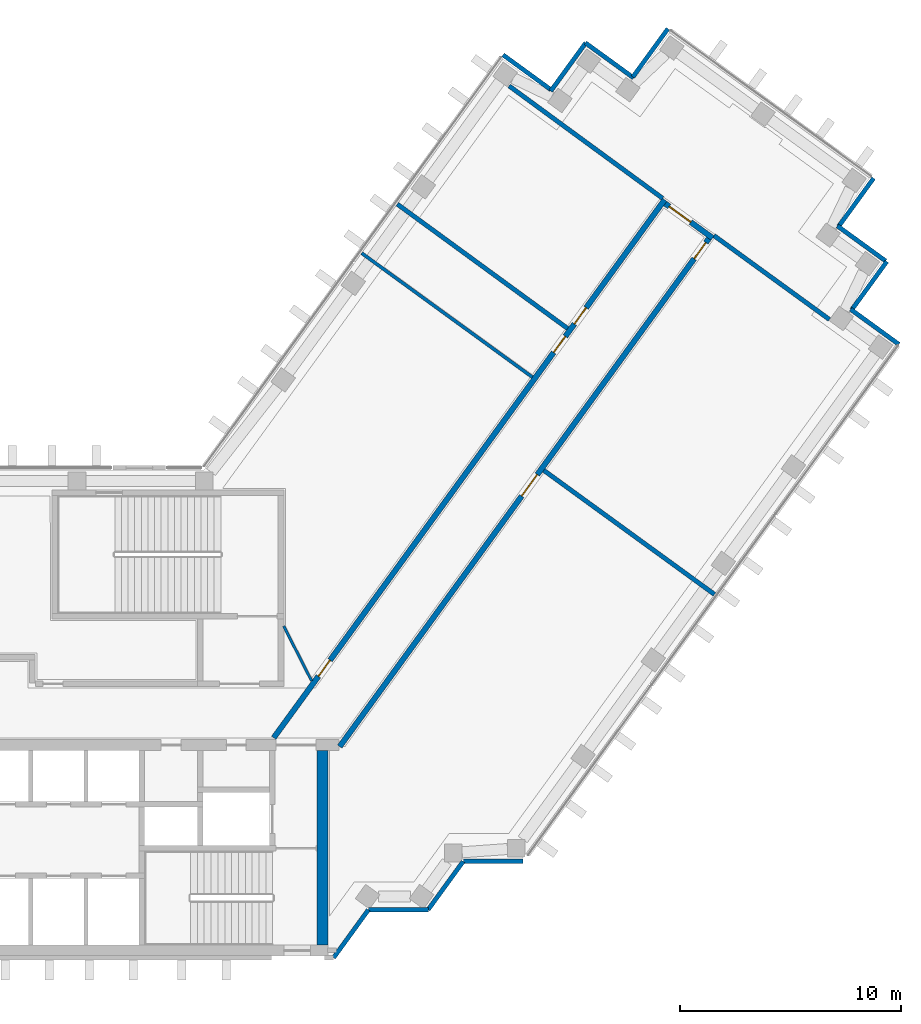
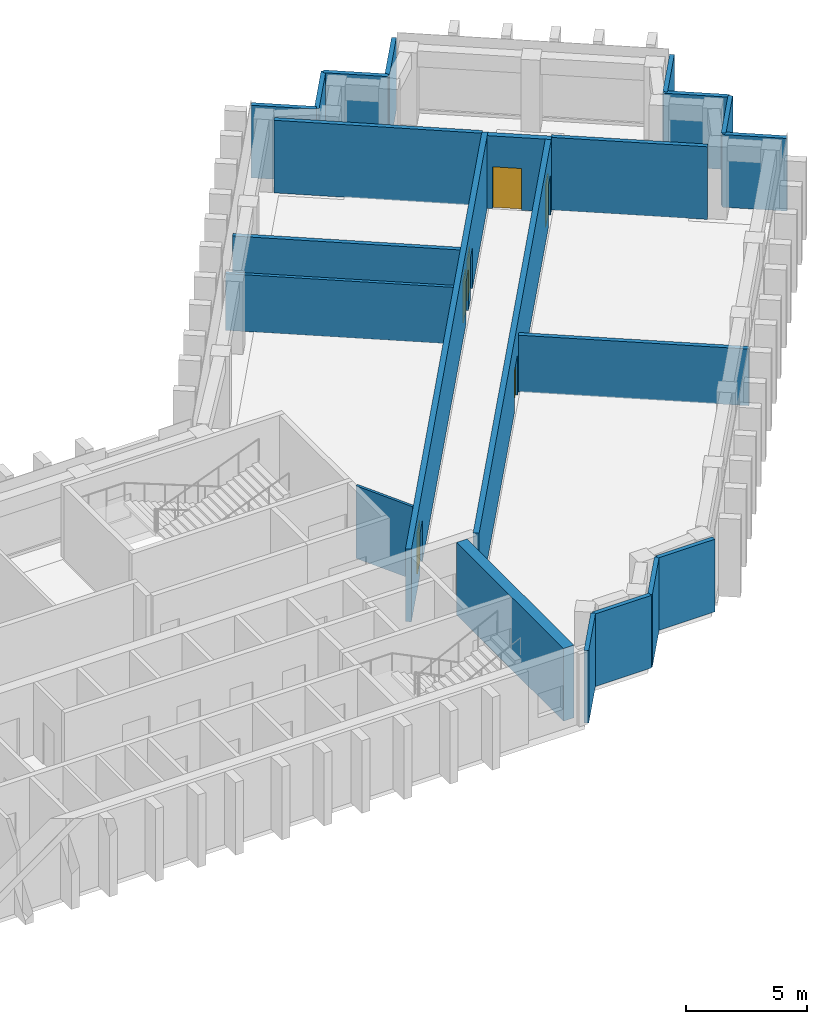
# One storey, part 7 of 10: 22 walls, 6 doors, 6 openings.
"""IFC4 building model written with IfcOpenShell, lengths in metres."""

from ifc_helpers import new_model, si_unit, direction, frame, frame_2d, origin, place, context, subcontext, project, spatial, rectangle, extrude, material, layer, layer_set, type_object, element, fill, save


model = new_model("IFC4")

# Units and contexts
model_context = context("Model", 3, precision=1e-05, world=origin(), true_north=direction((0.0, 1.0)))
body_context = subcontext(model_context, "Body", "Model", "MODEL_VIEW")
ifc_project = project(units=[si_unit("LENGTHUNIT", "METRE"), si_unit("AREAUNIT", "SQUARE_METRE"), si_unit("VOLUMEUNIT", "CUBIC_METRE"), si_unit("PLANEANGLEUNIT", "RADIAN"), si_unit("MASSUNIT", "GRAM", prefix="KILO")], contexts=[model_context])

# Site, building, storey
site_placement = place(None, origin())
site = spatial("IfcSite", under=ifc_project, at=site_placement, CompositionType="ELEMENT")
building_placement = place(site_placement, origin())
building = spatial("IfcBuilding", under=site, at=building_placement, Name="Quipu Civic Tower", CompositionType="ELEMENT")
storey_placement = place(building_placement, frame((0.0, 0.0, 176.0)))
storey = spatial("IfcBuildingStorey", under=building, at=storey_placement, Name="L41", CompositionType="ELEMENT", Elevation=176.0)

# Walls
ifc_material_1 = material(Name="Double gypsum plasterboard with mineral wool")
ifc_layer_1 = layer(ifc_material_1, 0.14990234375)
ifc_layer_set_1 = layer_set([ifc_layer_1], Name="Double gypsum plasterboard with mineral wool")
wall_type_1 = type_object("IfcWallType", Name="Acoustic partition 150 plasterboard", PredefinedType="PARTITIONING", material=ifc_layer_set_1)
wall_1_placement = place(storey_placement, frame((29.251220703125, 15.19970703125, 0.0), z_axis=(0.0, 0.0, 1.0), x_axis=(-0.808994684961, 0.587815957341, 0.0)))
element("IfcWall", 1, at=wall_1_placement, inside=storey, type_object=wall_type_1, Name="Partition P09", PredefinedType="PARTITIONING", context=body_context, shape_type="SweptSolid", body=[
    extrude(rectangle(XDim=9.55029296875, YDim=0.14990234375, at=frame_2d((4.775146484375, 0.0))), origin(), (0.0, 0.0, 1.0), 2.85009765625),
])
ifc_material_2 = material(Name="Fired clay blockwork", Category="masonry")
ifc_layer_2 = layer(ifc_material_2, 0.199951171875)
ifc_layer_set_2 = layer_set([ifc_layer_2], Name="Fired clay blockwork")
wall_type_2 = type_object("IfcWallType", Name="Blockwork wall 200", PredefinedType="SOLIDWALL", material=ifc_layer_set_2)
wall_2_placement = place(storey_placement, frame((37.495849609375, 5.36669921875, 0.0), z_axis=(0.0, 0.0, 1.0), x_axis=(-0.809048817734, 0.587741448702, 0.0)))
element("IfcWall", 2, at=wall_2_placement, inside=storey, type_object=wall_type_2, Name="Partition P06", PredefinedType="SOLIDWALL", context=body_context, shape_type="SweptSolid", body=[
    extrude(rectangle(XDim=9.55029296875, YDim=0.199951171875, at=frame_2d((4.775146484375, 0.0))), origin(), (0.0, 0.0, 1.0), 2.85009765625),
])
wall_3_placement = place(storey_placement, frame((37.4677734375, 21.609619140625, 0.0), z_axis=(0.0, 0.0, 1.0), x_axis=(0.80901688725, -0.587785399737, 0.0)))
element("IfcWall", 3, at=wall_3_placement, inside=storey, type_object=wall_type_2, Name="Partition P07", PredefinedType="SOLIDWALL", context=body_context, shape_type="SweptSolid", body=[
    extrude(rectangle(XDim=6.464599609375, YDim=0.199951171875, at=frame_2d((3.232421875, 0.0))), origin(), (0.0, 0.0, 1.0), 3.64990234375),
])
wall_4_placement = place(storey_placement, frame((28.197998046875, 28.38134765625, 0.0), z_axis=(0.0, 0.0, 1.0), x_axis=(0.806977317905, -0.590582431492, 0.0)))
element("IfcWall", 4, at=wall_4_placement, inside=storey, type_object=wall_type_2, Name="Partition P08", PredefinedType="SOLIDWALL", context=body_context, shape_type="SweptSolid", body=[
    extrude(rectangle(XDim=8.61962890625, YDim=0.199951171875, at=frame_2d((4.309814453125, 0.0))), origin(), (0.0, 0.0, 1.0), 3.64990234375),
])
wall_5_placement = place(storey_placement, frame((23.136962890625, 23.031982421875, 0.0), z_axis=(0.0, 0.0, 1.0), x_axis=(0.807661302092, -0.589646691759, 0.0)))
element("IfcWall", 5, at=wall_5_placement, inside=storey, type_object=wall_type_2, Name="Partition P11", PredefinedType="SOLIDWALL", context=body_context, shape_type="SweptSolid", body=[
    extrude(rectangle(XDim=9.550048828125, YDim=0.199951171875, at=frame_2d((4.77490234375, 0.0))), origin(), (0.0, 0.0, 1.0), 2.85009765625),
])
ifc_material_3 = material(Name="Concrete C70/85", Category="concrete")
ifc_layer_3 = layer(ifc_material_3, 0.5)
ifc_layer_set_3 = layer_set([ifc_layer_3], Name="Concrete C70/85")
wall_type_3 = type_object("IfcWallType", Name="Core wall 500", PredefinedType="SHEAR", material=ifc_layer_set_3)
wall_6_placement = place(storey_placement, frame((19.75, -10.5, 0.0), z_axis=(0.0, 0.0, 1.0), x_axis=(0.0, 1.0, 0.0)))
element("IfcWall", 6, at=wall_6_placement, inside=storey, type_object=wall_type_3, Name="Core wall", PredefinedType="SHEAR", context=body_context, shape_type="SweptSolid", body=[
    extrude(rectangle(XDim=8.800048828125, YDim=0.5, at=frame_2d((4.39990234375, 0.0))), origin(), (0.0, 0.0, 1.0), 3.64990234375),
])

# Wall, openings, doors
ifc_material_4 = material(Name="Concrete C50/60", Category="concrete")
ifc_layer_4 = layer(ifc_material_4, 0.25)
ifc_layer_set_4 = layer_set([ifc_layer_4], Name="Concrete C50/60")
wall_type_4 = type_object("IfcWallType", Name="Corridor wall 250 concrete", PredefinedType="SOLIDWALL", material=ifc_layer_set_4)
wall_7_placement = place(storey_placement, frame((17.544921875, -1.124755859375, 0.0), z_axis=(0.0, 0.0, 1.0), x_axis=(0.587786330937, 0.809016210693, 0.0)))
wall_7 = element("IfcWall", 7, at=wall_7_placement, inside=storey, type_object=wall_type_4, Name="Corridor wall C01", PredefinedType="SOLIDWALL", context=body_context, shape_type="SweptSolid", body=[
    extrude(rectangle(XDim=30.10302734375, YDim=0.25, at=frame_2d((15.051513671875, 0.0))), origin(), (0.0, 0.0, 1.0), 3.64990234375),
])
opening_1_placement = place(wall_7_placement, frame((3.44140625, 0.0, 0.0)))
opening_1 = element("IfcOpeningElement", 8, at=opening_1_placement, cuts=wall_7, Name="Opening D001", PredefinedType="OPENING", context=body_context, shape_type="SweptSolid", body=[
    extrude(rectangle(XDim=0.89990234375, YDim=2.10009765625, at=frame_2d((0.449951171875, 1.050048828125))), frame((0.0, 0.135009765625, 0.0), z_axis=(0.0, -1.0, 0.0), x_axis=(1.0, 0.0, 0.0)), (0.0, 0.0, 1.0), 0.27001953125),
])
opening_2_placement = place(wall_7_placement, frame((23.15771484375, 0.0, 0.0)))
opening_2 = element("IfcOpeningElement", 9, at=opening_2_placement, cuts=wall_7, Name="Opening D003", PredefinedType="OPENING", context=body_context, shape_type="SweptSolid", body=[
    extrude(rectangle(XDim=0.89990234375, YDim=2.10009765625, at=frame_2d((0.449951171875, 1.050048828125))), frame((0.0, 0.135009765625, 0.0), z_axis=(0.0, -1.0, 0.0), x_axis=(1.0, 0.0, 0.0)), (0.0, 0.0, 1.0), 0.27001953125),
])
opening_3_placement = place(wall_7_placement, frame((21.5576171875, 0.0, 0.0)))
opening_3 = element("IfcOpeningElement", 10, at=opening_3_placement, cuts=wall_7, Name="Opening D002", PredefinedType="OPENING", context=body_context, shape_type="SweptSolid", body=[
    extrude(rectangle(XDim=0.89990234375, YDim=2.10009765625, at=frame_2d((0.449951171875, 1.050048828125))), frame((0.0, 0.135009765625, 0.0), z_axis=(0.0, -1.0, 0.0), x_axis=(1.0, 0.0, 0.0)), (0.0, 0.0, 1.0), 0.27001953125),
])
ifc_material_5 = material(Name="Fire rated timber door set with metal frame", Category="wood")
door_type_1 = type_object("IfcDoorType", Name="Single door 900 x 2100 FD60", OperationType="NOTDEFINED", PredefinedType="DOOR", material=ifc_material_5)
door_1_placement = place(opening_1_placement, origin())
door_1 = element("IfcDoor", 11, at=door_1_placement, inside=storey, type_object=door_type_1, Name="Door D001", OperationType="SINGLE_SWING_LEFT", OverallHeight=2.10009765625, OverallWidth=0.89990234375, PredefinedType="DOOR", context=body_context, shape_type="SweptSolid", body=[
    extrude(rectangle(XDim=0.89990234375, YDim=2.10009765625, at=frame_2d((0.449951171875, 1.050048828125))), frame((0.0, 0.02490234375, 0.0), z_axis=(0.0, -1.0, 0.0), x_axis=(1.0, 0.0, 0.0)), (0.0, 0.0, 1.0), 0.050048828125),
])
fill(opening_1, door_1)
door_2_placement = place(opening_2_placement, origin())
door_2 = element("IfcDoor", 12, at=door_2_placement, inside=storey, type_object=door_type_1, Name="Door D003", OperationType="SINGLE_SWING_LEFT", OverallHeight=2.10009765625, OverallWidth=0.89990234375, PredefinedType="DOOR", context=body_context, shape_type="SweptSolid", body=[
    extrude(rectangle(XDim=0.89990234375, YDim=2.10009765625, at=frame_2d((0.449951171875, 1.050048828125))), frame((0.0, 0.02490234375, 0.0), z_axis=(0.0, -1.0, 0.0), x_axis=(1.0, 0.0, 0.0)), (0.0, 0.0, 1.0), 0.050048828125),
])
fill(opening_2, door_2)
door_3_placement = place(opening_3_placement, origin())
door_3 = element("IfcDoor", 13, at=door_3_placement, inside=storey, type_object=door_type_1, Name="Door D002", OperationType="SINGLE_SWING_RIGHT", OverallHeight=2.10009765625, OverallWidth=0.89990234375, PredefinedType="DOOR", context=body_context, shape_type="SweptSolid", body=[
    extrude(rectangle(XDim=0.89990234375, YDim=2.10009765625, at=frame_2d((0.449951171875, 1.050048828125))), frame((0.0, 0.02490234375, 0.0), z_axis=(0.0, -1.0, 0.0), x_axis=(1.0, 0.0, 0.0)), (0.0, 0.0, 1.0), 0.050048828125),
])
fill(opening_3, door_3)

# Wall, opening, door
wall_8_placement = place(storey_placement, frame((35.2666015625, 23.054443359375, 0.0), z_axis=(0.0, 0.0, 1.0), x_axis=(0.809038743598, -0.587755315891, 0.0)))
wall_8 = element("IfcWall", 14, at=wall_8_placement, inside=storey, type_object=wall_type_4, Name="Corridor wall C02", PredefinedType="SOLIDWALL", context=body_context, shape_type="SweptSolid", body=[
    extrude(rectangle(XDim=2.650146484375, YDim=0.25, at=frame_2d((1.3251953125, 0.0))), origin(), (0.0, 0.0, 1.0), 3.64990234375),
])
opening_4_placement = place(wall_8_placement, frame((0.224365234375, 0.0, 0.0)))
opening_4 = element("IfcOpeningElement", 15, at=opening_4_placement, cuts=wall_8, Name="Opening D006", PredefinedType="OPENING", context=body_context, shape_type="SweptSolid", body=[
    extrude(rectangle(XDim=1.199951171875, YDim=2.10009765625, at=frame_2d((0.60009765625, 1.050048828125))), frame((0.0, 0.135009765625, 0.0), z_axis=(0.0, -1.0, 0.0), x_axis=(1.0, 0.0, 0.0)), (0.0, 0.0, 1.0), 0.27001953125),
])
ifc_material_6 = material(Name="Fire rated timber door set with metal frame", Category="wood")
door_type_2 = type_object("IfcDoorType", Name="Single door 1200 x 2100 FD60", OperationType="NOTDEFINED", PredefinedType="DOOR", material=ifc_material_6)
door_4_placement = place(opening_4_placement, origin())
door_4 = element("IfcDoor", 16, at=door_4_placement, inside=storey, type_object=door_type_2, Name="Door D006", OperationType="SINGLE_SWING_LEFT", OverallHeight=2.10009765625, OverallWidth=1.199951171875, PredefinedType="DOOR", context=body_context, shape_type="SweptSolid", body=[
    extrude(rectangle(XDim=1.199951171875, YDim=2.10009765625, at=frame_2d((0.60009765625, 1.050048828125))), frame((0.0, 0.02490234375, 0.0), z_axis=(0.0, -1.0, 0.0), x_axis=(1.0, 0.0, 0.0)), (0.0, 0.0, 1.0), 0.050048828125),
])
fill(opening_4, door_4)

# Wall, openings, doors
wall_9_placement = place(storey_placement, frame((37.236083984375, 21.46923828125, 0.0), z_axis=(0.0, 0.0, 1.0), x_axis=(-0.58778344073, -0.809018310549, 0.0)))
wall_9 = element("IfcWall", 17, at=wall_9_placement, inside=storey, type_object=wall_type_4, Name="Corridor wall C03", PredefinedType="SOLIDWALL", context=body_context, shape_type="SweptSolid", body=[
    extrude(rectangle(XDim=28.42041015625, YDim=0.25, at=frame_2d((14.210205078125, 0.0))), origin(), (0.0, 0.0, 1.0), 3.64990234375),
])
opening_5_placement = place(wall_9_placement, frame((13.205078125, 0.0, 0.0)))
opening_5 = element("IfcOpeningElement", 18, at=opening_5_placement, cuts=wall_9, Name="Opening D004", PredefinedType="OPENING", context=body_context, shape_type="SweptSolid", body=[
    extrude(rectangle(XDim=1.199951171875, YDim=2.10009765625, at=frame_2d((0.60009765625, 1.050048828125))), frame((0.0, 0.135009765625, 0.0), z_axis=(0.0, -1.0, 0.0), x_axis=(1.0, 0.0, 0.0)), (0.0, 0.0, 1.0), 0.27001953125),
])
opening_6_placement = place(wall_9_placement, frame((0.224365234375, 0.0, 0.0)))
opening_6 = element("IfcOpeningElement", 19, at=opening_6_placement, cuts=wall_9, Name="Opening D005", PredefinedType="OPENING", context=body_context, shape_type="SweptSolid", body=[
    extrude(rectangle(XDim=0.89990234375, YDim=2.10009765625, at=frame_2d((0.449951171875, 1.050048828125))), frame((0.0, 0.135009765625, 0.0), z_axis=(0.0, -1.0, 0.0), x_axis=(1.0, 0.0, 0.0)), (0.0, 0.0, 1.0), 0.27001953125),
])
door_5_placement = place(opening_5_placement, origin())
door_5 = element("IfcDoor", 20, at=door_5_placement, inside=storey, type_object=door_type_2, Name="Door D004", OperationType="SINGLE_SWING_LEFT", OverallHeight=2.10009765625, OverallWidth=1.199951171875, PredefinedType="DOOR", context=body_context, shape_type="SweptSolid", body=[
    extrude(rectangle(XDim=1.199951171875, YDim=2.10009765625, at=frame_2d((0.60009765625, 1.050048828125))), frame((0.0, 0.02490234375, 0.0), z_axis=(0.0, -1.0, 0.0), x_axis=(1.0, 0.0, 0.0)), (0.0, 0.0, 1.0), 0.050048828125),
])
fill(opening_5, door_5)
door_6_placement = place(opening_6_placement, origin())
door_6 = element("IfcDoor", 21, at=door_6_placement, inside=storey, type_object=door_type_1, Name="Door D005", OperationType="SINGLE_SWING_LEFT", OverallHeight=2.10009765625, OverallWidth=0.89990234375, PredefinedType="DOOR", context=body_context, shape_type="SweptSolid", body=[
    extrude(rectangle(XDim=0.89990234375, YDim=2.10009765625, at=frame_2d((0.449951171875, 1.050048828125))), frame((0.0, 0.02490234375, 0.0), z_axis=(0.0, -1.0, 0.0), x_axis=(1.0, 0.0, 0.0)), (0.0, 0.0, 1.0), 0.050048828125),
])
fill(opening_6, door_6)

# Walls
ifc_material_7 = material(Name="Gypsum plasterboard on light gauge framing")
ifc_layer_5 = layer(ifc_material_7, 0.1201171875)
ifc_layer_set_5 = layer_set([ifc_layer_5], Name="Gypsum plasterboard on light gauge framing")
wall_type_5 = type_object("IfcWallType", Name="Partition 120 plasterboard", PredefinedType="PARTITIONING", material=ifc_layer_set_5)
wall_10_placement = place(storey_placement, frame((18.0, 3.925048828125, 0.0), z_axis=(0.0, 0.0, 1.0), x_axis=(0.453950796792, -0.891026752736, 0.0)))
element("IfcWall", 22, at=wall_10_placement, inside=storey, type_object=wall_type_5, Name="Partition P12", PredefinedType="PARTITIONING", context=body_context, shape_type="SweptSolid", body=[
    extrude(rectangle(XDim=2.77783203125, YDim=0.1201171875, at=frame_2d((1.388916015625, 0.0))), origin(), (0.0, 0.0, 1.0), 3.64990234375),
])
ifc_material_8 = material(Name="Precast concrete C40/50", Category="concrete")
wall_type_6 = type_object("IfcWallType", Name="Precast cladding wall", PredefinedType="SOLIDWALL", material=ifc_material_8)
wall_11_placement = place(storey_placement, frame((20.253173828125, -11.083251953125, 0.0), z_axis=(0.0, 0.0, 1.0), x_axis=(0.587766567315, 0.809030569476, 0.0)))
element("IfcWall", 23, at=wall_11_placement, inside=storey, type_object=wall_type_6, Name="Precast cladding wall L41 P17", PredefinedType="SOLIDWALL", context=body_context, shape_type="SweptSolid", body=[
    extrude(rectangle(XDim=2.687744140625, YDim=0.199951171875, at=frame_2d((1.34375, 0.0))), origin(), (0.0, 0.0, 1.0), 3.64990234375),
])
wall_12_placement = place(storey_placement, frame((21.8427734375, -8.90380859375, 0.0), z_axis=(0.0, 0.0, 1.0), x_axis=(1.0, 0.0, 0.0)))
element("IfcWall", 24, at=wall_12_placement, inside=storey, type_object=wall_type_6, Name="Precast cladding wall L41 P18", PredefinedType="SOLIDWALL", context=body_context, shape_type="SweptSolid", body=[
    extrude(rectangle(XDim=2.699951171875, YDim=0.199951171875, at=frame_2d((1.35009765625, 0.0))), origin(), (0.0, 0.0, 1.0), 3.64990234375),
])
wall_13_placement = place(storey_placement, frame((24.533203125, -8.90869140625, 0.0), z_axis=(0.0, 0.0, 1.0), x_axis=(0.587720002413, 0.809064397168, 0.0)))
element("IfcWall", 25, at=wall_13_placement, inside=storey, type_object=wall_type_6, Name="Precast cladding wall L41 P19", PredefinedType="SOLIDWALL", context=body_context, shape_type="SweptSolid", body=[
    extrude(rectangle(XDim=2.7001953125, YDim=0.199951171875, at=frame_2d((1.35009765625, 0.0))), origin(), (0.0, 0.0, 1.0), 3.64990234375),
])
for number, where, z_axis, x_axis, name in (
    (26, (26.1298828125, -6.71923828125, 0.0), (0.0, 0.0, 1.0), (1.0, 0.0, 0.0), "Precast cladding wall L41 P20"),
    (27, (45.84228515625, 16.6845703125, 0.0), (0.0, 0.0, 1.0), (-0.808958916286, 0.58786518162, 0.0), "Precast cladding wall L41 P22"),
    (28, (43.70947265625, 18.249267578125, 0.0), (0.0, 0.0, 1.0), (0.587762999008, 0.809033161865, 0.0), "Precast cladding wall L41 P23"),
    (29, (45.2451171875, 20.4560546875, 0.0), (0.0, 0.0, 1.0), (-0.809033161865, 0.587762999008, 0.0), "Precast cladding wall L41 P24"),
    (30, (43.112548828125, 22.020263671875, 0.0), (0.0, 0.0, 1.0), (0.587762999008, 0.809033161865, 0.0), "Precast cladding wall L41 P25"),
    (31, (35.3876953125, 30.97021484375, 0.0), (0.0, 0.0, 1.0), (-0.587762999008, -0.809033161865, 0.0), "Precast cladding wall L41 P27"),
    (32, (33.837890625, 28.743896484375, 0.0), (0.0, 0.0, 1.0), (-0.809033161865, 0.587762999008, 0.0), "Precast cladding wall L41 P28"),
    (33, (31.67041015625, 30.33349609375, 0.0), (0.0, 0.0, 1.0), (-0.587762999008, -0.809033161865, 0.0), "Precast cladding wall L41 P29"),
    (34, (30.105712890625, 28.2001953125, 0.0), (0.0, 0.0, 1.0), (-0.809033161865, 0.587762999008, 0.0), "Precast cladding wall L41 P30"),
):
    element("IfcWall", number, at=place(storey_placement, frame(where, z_axis=z_axis, x_axis=x_axis)), inside=storey, type_object=wall_type_6, Name=name, PredefinedType="SOLIDWALL", context=body_context, shape_type="SweptSolid", body=[
        extrude(rectangle(XDim=2.699951171875, YDim=0.199951171875, at=frame_2d((1.35009765625, 0.0))), origin(), (0.0, 0.0, 1.0), 3.64990234375),
    ])

save(model, "model.ifc")
